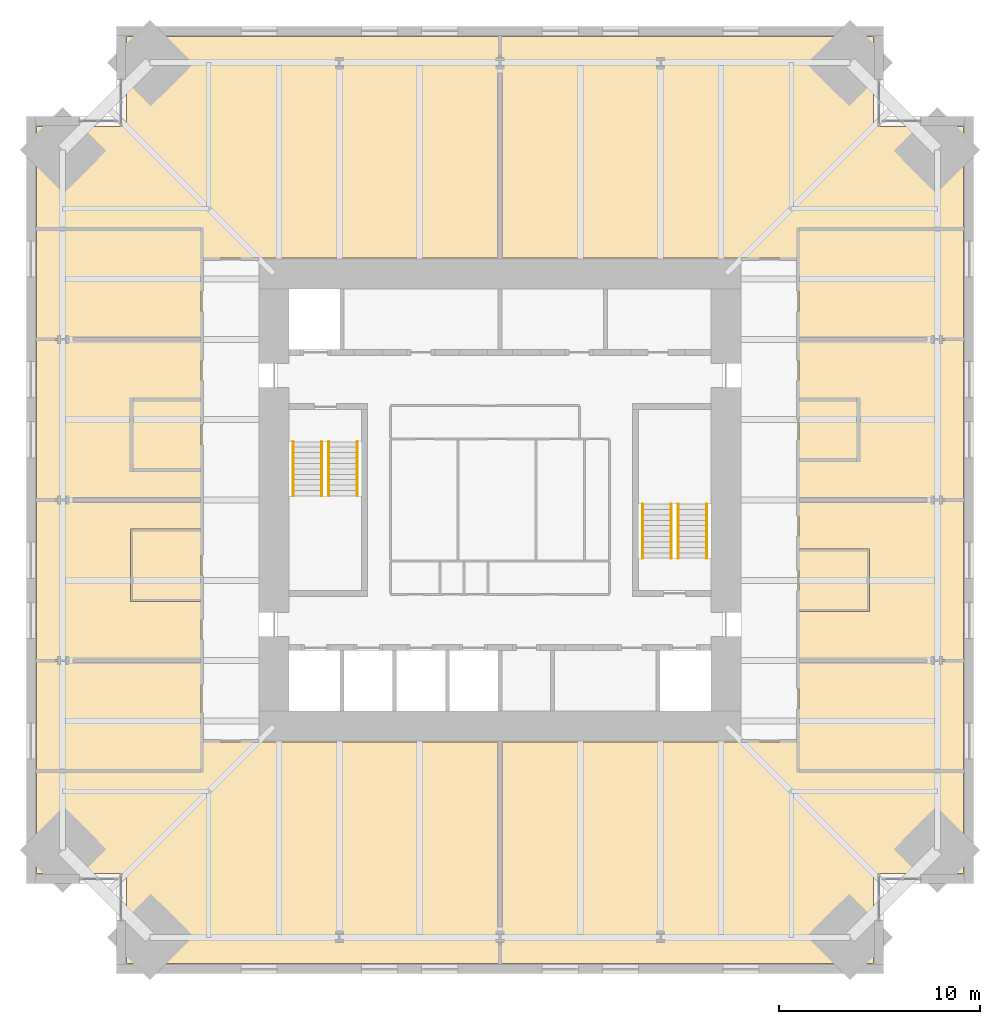
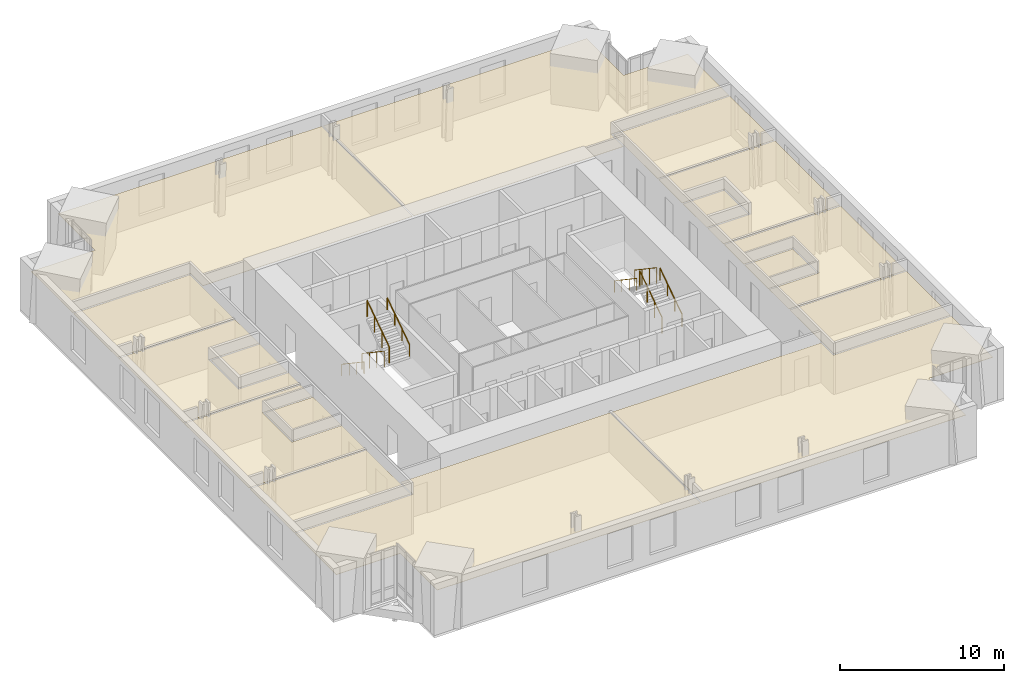
# One storey, part 15 of 15: 16 coverings, 8 railings.
"""IFC4 building model written with IfcOpenShell, lengths in metres."""

from ifc_helpers import new_model, si_unit, direction, frame, origin, origin_2d, place, context, subcontext, project, spatial, polyline, circle, outline, extrude, material, layer, layer_set, type_object, element, save


model = new_model("IFC4")

# Units and contexts
model_context = context("Model", 3, precision=1e-05, world=origin(), true_north=direction((0.0, 1.0)))
body_context = subcontext(model_context, "Body", "Model", "MODEL_VIEW")
ifc_project = project(units=[si_unit("LENGTHUNIT", "METRE"), si_unit("AREAUNIT", "SQUARE_METRE"), si_unit("VOLUMEUNIT", "CUBIC_METRE"), si_unit("PLANEANGLEUNIT", "RADIAN"), si_unit("MASSUNIT", "GRAM", prefix="KILO")], contexts=[model_context])

# Site, building, storey
site_placement = place(None, origin())
site = spatial("IfcSite", under=ifc_project, at=site_placement, CompositionType="ELEMENT")
building_placement = place(site_placement, origin())
building = spatial("IfcBuilding", under=site, at=building_placement, Name="Peilmerk Tower", CompositionType="ELEMENT")
storey_placement = place(building_placement, frame((0.0, 0.0, 225.800048828125)))
storey = spatial("IfcBuildingStorey", under=building, at=storey_placement, Name="L49", CompositionType="ELEMENT", Elevation=225.800048828125)

# Coverings
ifc_material_1 = material(Name="Mineral fibre ceiling tiles", Category="mineral")
ifc_layer = layer(ifc_material_1, 0.02490234375)
ifc_layer_set = layer_set([ifc_layer], Name="Mineral fibre ceiling tiles")
covering_type = type_object("IfcCoveringType", Name="CL1 25 suspended ceiling", PredefinedType="CEILING", material=ifc_layer_set)
covering_1_placement = place(storey_placement, frame((0.0, 0.0, 2.905029296875)))
element("IfcCovering", 1, at=covering_1_placement, inside=storey, type_object=covering_type, Name="Suspended ceiling Office", PredefinedType="CEILING", context=body_context, shape_type="SweptSolid", body=[
    extrude(outline(polyline([(-23.10009765625, 18.60009765625), (-23.10009765625, 13.550048828125), (-14.800048828125, 13.550048828125), (-14.800048828125, 12.050048828125), (-0.050048828125, 12.050048828125), (-0.050048828125, 23.10009765625), (-18.60009765625, 23.10009765625), (-18.60009765625, 18.60009765625), (-23.10009765625, 18.60009765625)])), origin(), (0.0, 0.0, 1.0), 0.02490234375),
])
covering_2_placement = place(storey_placement, frame((0.0, 0.0, 2.905029296875)))
element("IfcCovering", 2, at=covering_2_placement, inside=storey, type_object=covering_type, Name="Suspended ceiling Office", PredefinedType="CEILING", context=body_context, shape_type="SweptSolid", body=[
    extrude(outline(polyline([(18.60009765625, 23.10009765625), (0.050048828125, 23.10009765625), (0.050048828125, 12.050048828125), (14.800048828125, 12.050048828125), (14.800048828125, 13.550048828125), (23.10009765625, 13.550048828125), (23.10009765625, 18.60009765625), (18.60009765625, 18.60009765625), (18.60009765625, 23.10009765625)])), origin(), (0.0, 0.0, 1.0), 0.02490234375),
])
covering_3_placement = place(storey_placement, frame((0.0, 0.0, 2.905029296875)))
element("IfcCovering", 3, at=covering_3_placement, inside=storey, type_object=covering_type, Name="Suspended ceiling Office", PredefinedType="CEILING", context=body_context, shape_type="SweptSolid", body=[
    extrude(outline(polyline([(-18.60009765625, -23.10009765625), (-0.050048828125, -23.10009765625), (-0.050048828125, -12.050048828125), (-14.800048828125, -12.050048828125), (-14.800048828125, -13.550048828125), (-23.10009765625, -13.550048828125), (-23.10009765625, -18.60009765625), (-18.60009765625, -18.60009765625), (-18.60009765625, -23.10009765625)])), origin(), (0.0, 0.0, 1.0), 0.02490234375),
])
covering_4_placement = place(storey_placement, frame((0.0, 0.0, 2.905029296875)))
element("IfcCovering", 4, at=covering_4_placement, inside=storey, type_object=covering_type, Name="Suspended ceiling Office", PredefinedType="CEILING", context=body_context, shape_type="SweptSolid", body=[
    extrude(outline(polyline([(0.050048828125, -23.10009765625), (18.60009765625, -23.10009765625), (18.60009765625, -18.60009765625), (23.10009765625, -18.60009765625), (23.10009765625, -13.550048828125), (14.800048828125, -13.550048828125), (14.800048828125, -12.050048828125), (0.050048828125, -12.050048828125), (0.050048828125, -23.10009765625)])), origin(), (0.0, 0.0, 1.0), 0.02490234375),
])
covering_5_placement = place(storey_placement, frame((0.0, 0.0, 2.905029296875)))
element("IfcCovering", 5, at=covering_5_placement, inside=storey, type_object=covering_type, Name="Suspended ceiling Office", PredefinedType="CEILING", context=body_context, shape_type="SweptSolid", body=[
    extrude(outline(polyline([(23.10009765625, -13.449951171875), (23.10009765625, -8.050048828125), (14.89990234375, -8.050048828125), (14.89990234375, -13.449951171875), (23.10009765625, -13.449951171875)])), origin(), (0.0, 0.0, 1.0), 0.02490234375),
])
covering_6_placement = place(storey_placement, frame((0.0, 0.0, 2.905029296875)))
element("IfcCovering", 6, at=covering_6_placement, inside=storey, type_object=covering_type, Name="Suspended ceiling Office", PredefinedType="CEILING", context=body_context, shape_type="SweptSolid", body=[
    extrude(outline(polyline([(14.89990234375, -7.949951171875), (23.10009765625, -7.949951171875), (23.10009765625, -0.050048828125), (14.89990234375, -0.050048828125), (14.89990234375, -2.449951171875), (18.39990234375, -2.449951171875), (18.39990234375, -5.550048828125), (14.89990234375, -5.550048828125), (14.89990234375, -7.949951171875)])), origin(), (0.0, 0.0, 1.0), 0.02490234375),
])
covering_7_placement = place(storey_placement, frame((0.0, 0.0, 2.905029296875)))
element("IfcCovering", 7, at=covering_7_placement, inside=storey, type_object=covering_type, Name="Suspended ceiling Office", PredefinedType="CEILING", context=body_context, shape_type="SweptSolid", body=[
    extrude(outline(polyline([(14.89990234375, 0.050048828125), (23.10009765625, 0.050048828125), (23.10009765625, 7.949951171875), (14.89990234375, 7.949951171875), (14.89990234375, 5.050048828125), (17.89990234375, 5.050048828125), (17.89990234375, 1.949951171875), (14.89990234375, 1.949951171875), (14.89990234375, 0.050048828125)])), origin(), (0.0, 0.0, 1.0), 0.02490234375),
])
covering_8_placement = place(storey_placement, frame((0.0, 0.0, 2.905029296875)))
element("IfcCovering", 8, at=covering_8_placement, inside=storey, type_object=covering_type, Name="Suspended ceiling Meeting room", PredefinedType="CEILING", context=body_context, shape_type="SweptSolid", body=[
    extrude(outline(polyline([(23.10009765625, 8.050048828125), (23.10009765625, 13.449951171875), (14.89990234375, 13.449951171875), (14.89990234375, 8.050048828125), (23.10009765625, 8.050048828125)])), origin(), (0.0, 0.0, 1.0), 0.02490234375),
])
covering_9_placement = place(storey_placement, frame((0.0, 0.0, 2.905029296875)))
element("IfcCovering", 9, at=covering_9_placement, inside=storey, type_object=covering_type, Name="Suspended ceiling Print room", PredefinedType="CEILING", context=body_context, shape_type="SweptSolid", body=[
    extrude(outline(polyline([(17.800048828125, 2.050048828125), (17.800048828125, 4.949951171875), (14.89990234375, 4.949951171875), (14.89990234375, 2.050048828125), (17.800048828125, 2.050048828125)])), origin(), (0.0, 0.0, 1.0), 0.02490234375),
])
covering_10_placement = place(storey_placement, frame((0.0, 0.0, 2.905029296875)))
element("IfcCovering", 10, at=covering_10_placement, inside=storey, type_object=covering_type, Name="Suspended ceiling Focus room", PredefinedType="CEILING", context=body_context, shape_type="SweptSolid", body=[
    extrude(outline(polyline([(18.300048828125, -5.449951171875), (18.300048828125, -2.550048828125), (14.89990234375, -2.550048828125), (14.89990234375, -5.449951171875), (18.300048828125, -5.449951171875)])), origin(), (0.0, 0.0, 1.0), 0.02490234375),
])
covering_11_placement = place(storey_placement, frame((0.0, 0.0, 2.905029296875)))
element("IfcCovering", 11, at=covering_11_placement, inside=storey, type_object=covering_type, Name="Suspended ceiling Library", PredefinedType="CEILING", context=body_context, shape_type="SweptSolid", body=[
    extrude(outline(polyline([(-23.10009765625, -8.050048828125), (-23.10009765625, -13.449951171875), (-14.89990234375, -13.449951171875), (-14.89990234375, -8.050048828125), (-23.10009765625, -8.050048828125)])), origin(), (0.0, 0.0, 1.0), 0.02490234375),
])
covering_12_placement = place(storey_placement, frame((0.0, 0.0, 2.905029296875)))
element("IfcCovering", 12, at=covering_12_placement, inside=storey, type_object=covering_type, Name="Suspended ceiling Office", PredefinedType="CEILING", context=body_context, shape_type="SweptSolid", body=[
    extrude(outline(polyline([(-14.89990234375, -0.050048828125), (-23.10009765625, -0.050048828125), (-23.10009765625, -7.949951171875), (-14.89990234375, -7.949951171875), (-14.89990234375, -5.050048828125), (-18.39990234375, -5.050048828125), (-18.39990234375, -1.449951171875), (-14.89990234375, -1.449951171875), (-14.89990234375, -0.050048828125)])), origin(), (0.0, 0.0, 1.0), 0.02490234375),
])
covering_13_placement = place(storey_placement, frame((0.0, 0.0, 2.905029296875)))
element("IfcCovering", 13, at=covering_13_placement, inside=storey, type_object=covering_type, Name="Suspended ceiling Office", PredefinedType="CEILING", context=body_context, shape_type="SweptSolid", body=[
    extrude(outline(polyline([(-14.89990234375, 7.949951171875), (-23.10009765625, 7.949951171875), (-23.10009765625, 0.050048828125), (-14.89990234375, 0.050048828125), (-14.89990234375, 1.449951171875), (-18.39990234375, 1.449951171875), (-18.39990234375, 5.050048828125), (-14.89990234375, 5.050048828125), (-14.89990234375, 7.949951171875)])), origin(), (0.0, 0.0, 1.0), 0.02490234375),
])
covering_14_placement = place(storey_placement, frame((0.0, 0.0, 2.905029296875)))
element("IfcCovering", 14, at=covering_14_placement, inside=storey, type_object=covering_type, Name="Suspended ceiling Office", PredefinedType="CEILING", context=body_context, shape_type="SweptSolid", body=[
    extrude(outline(polyline([(-23.10009765625, 13.449951171875), (-23.10009765625, 8.050048828125), (-14.89990234375, 8.050048828125), (-14.89990234375, 13.449951171875), (-23.10009765625, 13.449951171875)])), origin(), (0.0, 0.0, 1.0), 0.02490234375),
])
covering_15_placement = place(storey_placement, frame((0.0, 0.0, 2.905029296875)))
element("IfcCovering", 15, at=covering_15_placement, inside=storey, type_object=covering_type, Name="Suspended ceiling Pantry", PredefinedType="CEILING", context=body_context, shape_type="SweptSolid", body=[
    extrude(outline(polyline([(-14.89990234375, -4.949951171875), (-14.89990234375, -1.550048828125), (-18.300048828125, -1.550048828125), (-18.300048828125, -4.949951171875), (-14.89990234375, -4.949951171875)])), origin(), (0.0, 0.0, 1.0), 0.02490234375),
])
covering_16_placement = place(storey_placement, frame((0.0, 0.0, 2.905029296875)))
element("IfcCovering", 16, at=covering_16_placement, inside=storey, type_object=covering_type, Name="Suspended ceiling Project room", PredefinedType="CEILING", context=body_context, shape_type="SweptSolid", body=[
    extrude(outline(polyline([(-14.89990234375, 1.550048828125), (-14.89990234375, 4.949951171875), (-18.300048828125, 4.949951171875), (-18.300048828125, 1.550048828125), (-14.89990234375, 1.550048828125)])), origin(), (0.0, 0.0, 1.0), 0.02490234375),
])

# Railings
ifc_material_2 = material(Name="Steel flat bar balustrade", Category="steel")
railing_type_1 = type_object("IfcRailingType", Name="GR1 1200 stair guard", PredefinedType="GUARDRAIL", material=ifc_material_2)
railing_1_placement = place(storey_placement, frame((-8.8798828125, 2.89990234375, 0.181884765625)))
element("IfcRailing", 17, at=railing_1_placement, inside=storey, type_object=railing_type_1, Name="Guard stair 1 L49", PredefinedType="GUARDRAIL", context=body_context, shape_type="SweptSolid", body=[
    extrude(circle(Radius=0.02392578125, at=origin_2d()), frame((0.0, 0.0, 1.17578125), z_axis=(0.0, -0.829468130872, 0.55855404382), x_axis=(1.0, 0.0, 0.0)), (0.0, 0.0, 1.0), 3.255126953125),
    extrude(circle(Radius=0.02099609375, at=origin_2d()), origin(), (0.0, 0.0, 1.0), 1.15185546875),
    extrude(circle(Radius=0.02099609375, at=origin_2d()), frame((0.0, -0.89990234375, 0.60595703125)), (0.0, 0.0, 1.0), 1.15185546875),
    extrude(circle(Radius=0.02099609375, at=origin_2d()), frame((0.0, -1.800048828125, 1.212158203125)), (0.0, 0.0, 1.0), 1.15185546875),
    extrude(circle(Radius=0.02099609375, at=origin_2d()), frame((0.0, -2.699951171875, 1.818115234375)), (0.0, 0.0, 1.0), 1.15185546875),
])
for number, where, name in (
    (18, (-8.52001953125, 0.199951171875, 2.181884765625), "Guard stair 1 L49"),
    (19, (8.8798828125, -2.89990234375, 0.181884765625), "Guard stair 2 L49"),
):
    element("IfcRailing", number, at=place(storey_placement, frame(where)), inside=storey, type_object=railing_type_1, Name=name, PredefinedType="GUARDRAIL", context=body_context, shape_type="SweptSolid", body=[
        extrude(circle(Radius=0.02392578125, at=origin_2d()), frame((0.0, 0.0, 1.17578125), z_axis=(0.0, 0.829468130872, 0.55855404382), x_axis=(-1.0, 0.0, 0.0)), (0.0, 0.0, 1.0), 3.255126953125),
        extrude(circle(Radius=0.02099609375, at=origin_2d()), origin(), (0.0, 0.0, 1.0), 1.15185546875),
        extrude(circle(Radius=0.02099609375, at=origin_2d()), frame((0.0, 0.89990234375, 0.60595703125)), (0.0, 0.0, 1.0), 1.15185546875),
        extrude(circle(Radius=0.02099609375, at=origin_2d()), frame((0.0, 1.800048828125, 1.212158203125)), (0.0, 0.0, 1.0), 1.15185546875),
        extrude(circle(Radius=0.02099609375, at=origin_2d()), frame((0.0, 2.699951171875, 1.818115234375)), (0.0, 0.0, 1.0), 1.15185546875),
    ])
railing_2_placement = place(storey_placement, frame((8.52001953125, -0.199951171875, 2.181884765625)))
element("IfcRailing", 20, at=railing_2_placement, inside=storey, type_object=railing_type_1, Name="Guard stair 2 L49", PredefinedType="GUARDRAIL", context=body_context, shape_type="SweptSolid", body=[
    extrude(circle(Radius=0.02392578125, at=origin_2d()), frame((0.0, 0.0, 1.17578125), z_axis=(0.0, -0.829468130872, 0.55855404382), x_axis=(1.0, 0.0, 0.0)), (0.0, 0.0, 1.0), 3.255126953125),
    extrude(circle(Radius=0.02099609375, at=origin_2d()), origin(), (0.0, 0.0, 1.0), 1.15185546875),
    extrude(circle(Radius=0.02099609375, at=origin_2d()), frame((0.0, -0.89990234375, 0.60595703125)), (0.0, 0.0, 1.0), 1.15185546875),
    extrude(circle(Radius=0.02099609375, at=origin_2d()), frame((0.0, -1.800048828125, 1.212158203125)), (0.0, 0.0, 1.0), 1.15185546875),
    extrude(circle(Radius=0.02099609375, at=origin_2d()), frame((0.0, -2.699951171875, 1.818115234375)), (0.0, 0.0, 1.0), 1.15185546875),
])
ifc_material_3 = material(Name="Stainless steel tube", Category="steel")
railing_type_2 = type_object("IfcRailingType", Name="HR1 900 stair handrail", PredefinedType="HANDRAIL", material=ifc_material_3)
railing_3_placement = place(storey_placement, frame((-10.300048828125, 2.89990234375, 0.181884765625)))
element("IfcRailing", 21, at=railing_3_placement, inside=storey, type_object=railing_type_2, Name="Handrail stair 1 L49", PredefinedType="HANDRAIL", context=body_context, shape_type="SweptSolid", body=[
    extrude(circle(Radius=0.02392578125, at=origin_2d()), frame((0.0, 0.0, 0.8759765625), z_axis=(0.0, -0.829468130872, 0.55855404382), x_axis=(1.0, 0.0, 0.0)), (0.0, 0.0, 1.0), 3.255126953125),
    extrude(circle(Radius=0.02099609375, at=origin_2d()), origin(), (0.0, 0.0, 1.0), 0.851806640625),
    extrude(circle(Radius=0.02099609375, at=origin_2d()), frame((0.0, -0.89990234375, 0.60595703125)), (0.0, 0.0, 1.0), 0.851806640625),
    extrude(circle(Radius=0.02099609375, at=origin_2d()), frame((0.0, -1.800048828125, 1.212158203125)), (0.0, 0.0, 1.0), 0.851806640625),
    extrude(circle(Radius=0.02099609375, at=origin_2d()), frame((0.0, -2.699951171875, 1.818115234375)), (0.0, 0.0, 1.0), 0.851806640625),
])
for number, where, name in (
    (22, (-7.10009765625, 0.199951171875, 2.181884765625), "Handrail stair 1 L49"),
    (23, (10.300048828125, -2.89990234375, 0.181884765625), "Handrail stair 2 L49"),
):
    element("IfcRailing", number, at=place(storey_placement, frame(where)), inside=storey, type_object=railing_type_2, Name=name, PredefinedType="HANDRAIL", context=body_context, shape_type="SweptSolid", body=[
        extrude(circle(Radius=0.02392578125, at=origin_2d()), frame((0.0, 0.0, 0.8759765625), z_axis=(0.0, 0.829468130872, 0.55855404382), x_axis=(-1.0, 0.0, 0.0)), (0.0, 0.0, 1.0), 3.255126953125),
        extrude(circle(Radius=0.02099609375, at=origin_2d()), origin(), (0.0, 0.0, 1.0), 0.851806640625),
        extrude(circle(Radius=0.02099609375, at=origin_2d()), frame((0.0, 0.89990234375, 0.60595703125)), (0.0, 0.0, 1.0), 0.851806640625),
        extrude(circle(Radius=0.02099609375, at=origin_2d()), frame((0.0, 1.800048828125, 1.212158203125)), (0.0, 0.0, 1.0), 0.851806640625),
        extrude(circle(Radius=0.02099609375, at=origin_2d()), frame((0.0, 2.699951171875, 1.818115234375)), (0.0, 0.0, 1.0), 0.851806640625),
    ])
railing_4_placement = place(storey_placement, frame((7.10009765625, -0.199951171875, 2.181884765625)))
element("IfcRailing", 24, at=railing_4_placement, inside=storey, type_object=railing_type_2, Name="Handrail stair 2 L49", PredefinedType="HANDRAIL", context=body_context, shape_type="SweptSolid", body=[
    extrude(circle(Radius=0.02392578125, at=origin_2d()), frame((0.0, 0.0, 0.8759765625), z_axis=(0.0, -0.829468130872, 0.55855404382), x_axis=(1.0, 0.0, 0.0)), (0.0, 0.0, 1.0), 3.255126953125),
    extrude(circle(Radius=0.02099609375, at=origin_2d()), origin(), (0.0, 0.0, 1.0), 0.851806640625),
    extrude(circle(Radius=0.02099609375, at=origin_2d()), frame((0.0, -0.89990234375, 0.60595703125)), (0.0, 0.0, 1.0), 0.851806640625),
    extrude(circle(Radius=0.02099609375, at=origin_2d()), frame((0.0, -1.800048828125, 1.212158203125)), (0.0, 0.0, 1.0), 0.851806640625),
    extrude(circle(Radius=0.02099609375, at=origin_2d()), frame((0.0, -2.699951171875, 1.818115234375)), (0.0, 0.0, 1.0), 0.851806640625),
])

save(model, "model.ifc")
